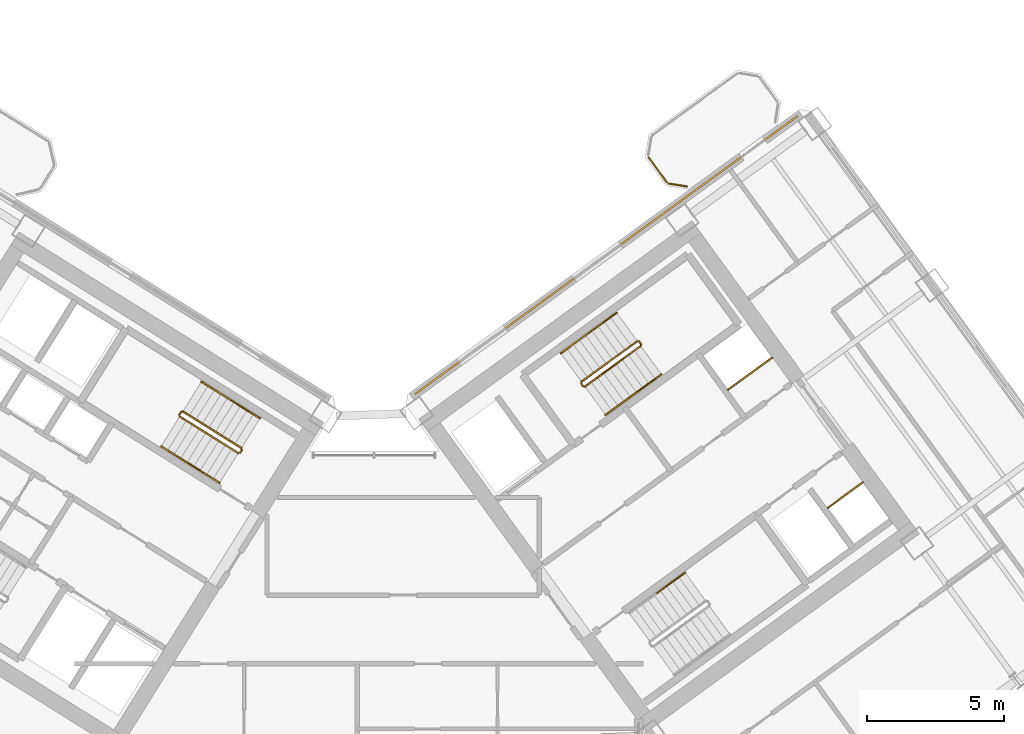
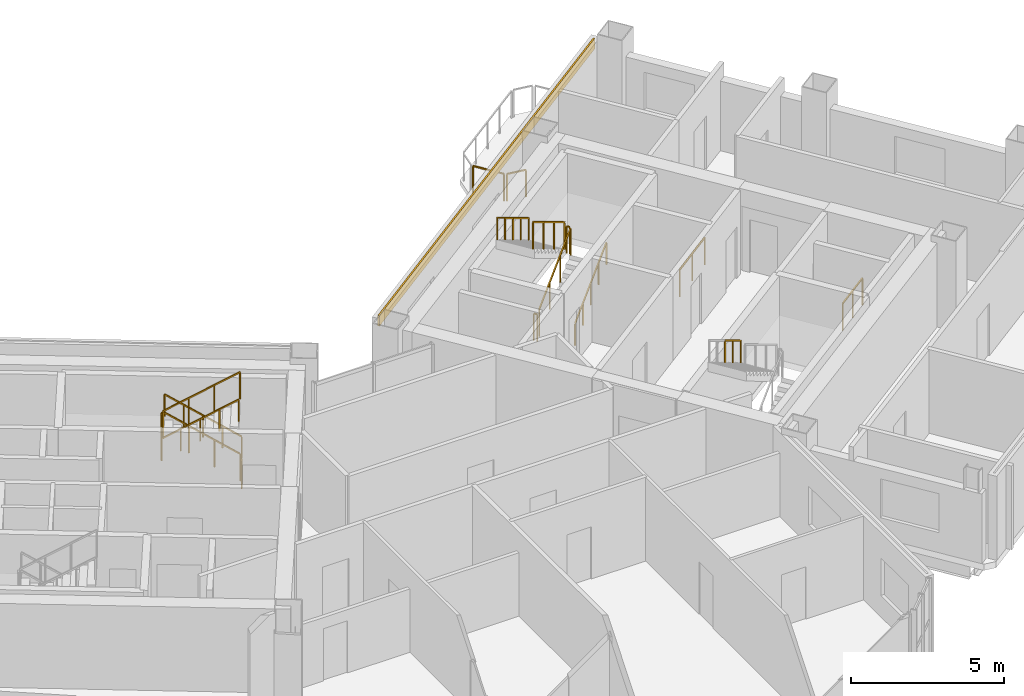
# One storey, part 28 of 29: 21 railings, 1 covering.
"""IFC4 building model written with IfcOpenShell, lengths in metres."""

from ifc_helpers import new_model, si_unit, direction, frame, origin, origin_2d, place, context, subcontext, project, spatial, rectangle, extrude, source, transform, mapped, material, layer, layer_set, type_object, element, save


model = new_model("IFC4")

# Units and contexts
model_context = context("Model", 3, precision=1e-05, world=origin(), true_north=direction((0.0, 1.0)))
body_context = subcontext(model_context, "Body", "Model", "MODEL_VIEW")
ifc_project = project(units=[si_unit("LENGTHUNIT", "METRE"), si_unit("AREAUNIT", "SQUARE_METRE"), si_unit("VOLUMEUNIT", "CUBIC_METRE"), si_unit("PLANEANGLEUNIT", "RADIAN"), si_unit("MASSUNIT", "GRAM", prefix="KILO")], contexts=[model_context])

# Site, building, storey
site_placement = place(None, origin())
site = spatial("IfcSite", under=ifc_project, at=site_placement, CompositionType="ELEMENT")
building_placement = place(site_placement, origin())
building = spatial("IfcBuilding", under=site, at=building_placement, Name="Tlacorven Tower", CompositionType="ELEMENT")
storey_placement = place(building_placement, frame((0.0, 0.0, 158.699951171875)))
storey = spatial("IfcBuildingStorey", under=building, at=storey_placement, Name="L40", CompositionType="ELEMENT", Elevation=158.699951171875)

# Railings
ifc_material_1 = material(Name="Aluminium and painted steel balustrade", Category="steel")
railing_type_1 = type_object("IfcRailingType", Name="RL-GRD-1100", PredefinedType="GUARDRAIL", material=ifc_material_1)
shared_shape_1 = source(origin(), body_context, "Body", "SweptSolid", [
    extrude(rectangle(XDim=0.048095703125, YDim=0.048095703125, at=origin_2d()), frame((0.0, 0.0, 1.076171875), z_axis=(0.808947177504, 0.587881334972, 0.0), x_axis=(-0.587881334972, 0.808947177504, 0.0)), (0.0, 0.0, 1.0), 2.0),
    extrude(rectangle(XDim=0.0419921875, YDim=0.0419921875, at=origin_2d()), origin(), (0.0, 0.0, 1.0), 1.052001953125),
    extrude(rectangle(XDim=0.0419921875, YDim=0.0419921875, at=origin_2d()), frame((0.80908203125, 0.587890625, 0.0)), (0.0, 0.0, 1.0), 1.052001953125),
    extrude(rectangle(XDim=0.0419921875, YDim=0.0419921875, at=origin_2d()), frame((1.617919921875, 1.17578125, 0.0)), (0.0, 0.0, 1.0), 1.052001953125),
])
railing_1_placement = place(storey_placement, frame((55.506103515625, 25.438232421875, 0.0)))
element("IfcRailing", 1, at=railing_1_placement, inside=storey, type_object=railing_type_1, Name="L40 Electrical Riser E Shaft Guard 1", PredefinedType="GUARDRAIL", context=body_context, shape_type="MappedRepresentation", body=[
    mapped(shared_shape_1, transform((0.0, 0.0, 0.0), scale=1.0)),
])
shared_shape_2 = source(origin(), body_context, "Body", "SweptSolid", [
    extrude(rectangle(XDim=0.048095703125, YDim=0.048095703125, at=origin_2d()), frame((0.0, 0.0, 1.076171875), z_axis=(0.809029975545, 0.58776738483, 0.0), x_axis=(-0.58776738483, 0.809029975545, 0.0)), (0.0, 0.0, 1.0), 1.580078125),
    extrude(rectangle(XDim=0.0419921875, YDim=0.0419921875, at=origin_2d()), origin(), (0.0, 0.0, 1.0), 1.052001953125),
    extrude(rectangle(XDim=0.0419921875, YDim=0.0419921875, at=origin_2d()), frame((0.63916015625, 0.46435546875, 0.0)), (0.0, 0.0, 1.0), 1.052001953125),
    extrude(rectangle(XDim=0.0419921875, YDim=0.0419921875, at=origin_2d()), frame((1.2783203125, 0.9287109375, 0.0)), (0.0, 0.0, 1.0), 1.052001953125),
])
railing_2_placement = place(storey_placement, frame((59.160888671875, 21.122314453125, 0.0)))
element("IfcRailing", 2, at=railing_2_placement, inside=storey, type_object=railing_type_1, Name="L40 Smoke Riser E Shaft Guard 1", PredefinedType="GUARDRAIL", context=body_context, shape_type="MappedRepresentation", body=[
    mapped(shared_shape_2, transform((0.0, 0.0, 0.0), scale=1.0)),
])
railing_type_2 = type_object("IfcRailingType", Name="RL-BAL-1100", PredefinedType="BALUSTRADE", material=ifc_material_1)
shared_shape_3 = source(origin(), body_context, "Body", "SweptSolid", [
    extrude(rectangle(XDim=0.048095703125, YDim=0.048095703125, at=origin_2d()), frame((0.0, 0.0, 1.076171875), z_axis=(-0.987718317463, 0.156245081039, 0.0), x_axis=(-0.156245081039, -0.987718317463, 0.0)), (0.0, 0.0, 1.0), 0.66552734375),
    extrude(rectangle(XDim=0.0419921875, YDim=0.0419921875, at=origin_2d()), origin(), (0.0, 0.0, 1.0), 1.052001953125),
    extrude(rectangle(XDim=0.0419921875, YDim=0.0419921875, at=origin_2d()), frame((-0.657470703125, 0.10400390625, 0.0)), (0.0, 0.0, 1.0), 1.052001953125),
])
railing_3_placement = place(storey_placement, frame((54.00341796875, 32.8759765625, 0.0)))
element("IfcRailing", 3, at=railing_3_placement, inside=storey, type_object=railing_type_2, Name="BAL-L40-E-IN Guard Railing 1", PredefinedType="BALUSTRADE", context=body_context, shape_type="MappedRepresentation", body=[
    mapped(shared_shape_3, transform((0.0, 0.0, 0.0), scale=1.0)),
])
shared_shape_4 = source(origin(), body_context, "Body", "SweptSolid", [
    extrude(rectangle(XDim=0.048095703125, YDim=0.048095703125, at=origin_2d()), frame((0.0, 0.0, 1.076171875), z_axis=(-0.587740817519, 0.809049276263, 0.0), x_axis=(-0.809049276263, -0.587740817519, 0.0)), (0.0, 0.0, 1.0), 1.112060546875),
    extrude(rectangle(XDim=0.0419921875, YDim=0.0419921875, at=origin_2d()), origin(), (0.0, 0.0, 1.0), 1.052001953125),
    extrude(rectangle(XDim=0.0419921875, YDim=0.0419921875, at=origin_2d()), frame((-0.653564453125, 0.899658203125, 0.0)), (0.0, 0.0, 1.0), 1.052001953125),
])
railing_4_placement = place(storey_placement, frame((53.26708984375, 33.0283203125, 0.0)))
element("IfcRailing", 4, at=railing_4_placement, inside=storey, type_object=railing_type_2, Name="BAL-L40-E-IN Guard Railing 2", PredefinedType="BALUSTRADE", context=body_context, shape_type="MappedRepresentation", body=[
    mapped(shared_shape_4, transform((0.0, 0.0, 0.0), scale=1.0)),
])

# Covering
ifc_material_2 = material(Name="Precast concrete C45/55", Category="concrete")
ifc_layer = layer(ifc_material_2, 0.06005859375)
ifc_layer_set = layer_set([ifc_layer], Name="Precast concrete C45/55")
covering_type = type_object("IfcCoveringType", Name="CV-CLD-TERC", PredefinedType="CLADDING", material=ifc_layer_set)
shared_shape_5 = source(origin(), body_context, "Body", "SweptSolid", [
    extrude(rectangle(XDim=17.287353515625, YDim=0.06005859375, at=origin_2d()), origin(), (0.0, 0.0, 1.0), 0.419921875),
])
covering_placement = place(storey_placement, frame((51.05224609375, 30.360595703125, 2.93017578125), z_axis=(0.0, 0.0, 1.0), x_axis=(0.809017097486, 0.587785110372, 0.0)))
element("IfcCovering", 5, at=covering_placement, inside=storey, type_object=covering_type, Name="L40 Masonry-Frame Spandrel Cladding 4", PredefinedType="CLADDING", context=body_context, shape_type="MappedRepresentation", body=[
    mapped(shared_shape_5, transform((0.0, 0.0, 0.0), scale=1.0)),
])

# Railings
shared_shape_6 = source(origin(), body_context, "Body", "SweptSolid", [
    extrude(rectangle(XDim=0.048095703125, YDim=0.048095703125, at=origin_2d()), frame((0.0, 0.0, 1.076171875), z_axis=(-0.713319727316, 0.445773895627, 0.540796265334), x_axis=(-0.529955395941, -0.84802551749, 0.0)), (0.0, 0.0, 1.0), 2.995849609375),
    extrude(rectangle(XDim=0.0419921875, YDim=0.0419921875, at=origin_2d()), origin(), (0.0, 0.0, 1.0), 1.052001953125),
    extrude(rectangle(XDim=0.0419921875, YDim=0.0419921875, at=origin_2d()), frame((-0.71240234375, 0.445068359375, 0.5400390625)), (0.0, 0.0, 1.0), 1.052001953125),
    extrude(rectangle(XDim=0.0419921875, YDim=0.0419921875, at=origin_2d()), frame((-1.424560546875, 0.890380859375, 1.080078125)), (0.0, 0.0, 1.0), 1.052001953125),
    extrude(rectangle(XDim=0.0419921875, YDim=0.0419921875, at=origin_2d()), frame((-2.136962890625, 1.33544921875, 1.6201171875)), (0.0, 0.0, 1.0), 1.052001953125),
])
railing_5_placement = place(storey_placement, frame((37.712158203125, 23.3095703125, 0.179931640625)))
element("IfcRailing", 6, at=railing_5_placement, inside=storey, type_object=railing_type_1, Name="L40 ST-W2 stair guard 1", PredefinedType="GUARDRAIL", context=body_context, shape_type="MappedRepresentation", body=[
    mapped(shared_shape_6, transform((0.0, 0.0, 0.0), scale=1.0)),
])
shared_shape_7 = source(origin(), body_context, "Body", "SweptSolid", [
    extrude(rectangle(XDim=0.048095703125, YDim=0.048095703125, at=origin_2d()), frame((0.0, 0.0, 1.076171875), z_axis=(-0.530546985787, -0.847655529016, 0.0), x_axis=(0.847655529016, -0.530546985787, 0.0)), (0.0, 0.0, 1.0), 0.1201171875),
    extrude(rectangle(XDim=0.0419921875, YDim=0.0419921875, at=origin_2d()), origin(), (0.0, 0.0, 1.0), 1.052001953125),
    extrude(rectangle(XDim=0.0419921875, YDim=0.0419921875, at=origin_2d()), frame((-0.063720703125, -0.101806640625, 0.0)), (0.0, 0.0, 1.0), 1.052001953125),
])
railing_6_placement = place(storey_placement, frame((37.728271484375, 23.24072265625, 0.0)))
element("IfcRailing", 7, at=railing_6_placement, inside=storey, type_object=railing_type_1, Name="L40 ST-W2 stair guard 4", PredefinedType="GUARDRAIL", context=body_context, shape_type="MappedRepresentation", body=[
    mapped(shared_shape_7, transform((0.0, 0.0, 0.0), scale=1.0)),
])
railing_type_3 = type_object("IfcRailingType", Name="RL-HND-0900", PredefinedType="HANDRAIL", material=ifc_material_1)
shared_shape_8 = source(origin(), body_context, "Body", "SweptSolid", [
    extrude(rectangle(XDim=0.048095703125, YDim=0.048095703125, at=origin_2d()), frame((0.0, 0.0, 0.8759765625), z_axis=(-0.713359751793, 0.4457479829, 0.540764828981), x_axis=(-0.529911857636, -0.848052724267, 0.0)), (0.0, 0.0, 1.0), 1.498046875),
    extrude(rectangle(XDim=0.0419921875, YDim=0.0419921875, at=origin_2d()), origin(), (0.0, 0.0, 1.0), 0.851806640625),
    extrude(rectangle(XDim=0.0419921875, YDim=0.0419921875, at=origin_2d()), frame((-0.5341796875, 0.333984375, 0.405029296875)), (0.0, 0.0, 1.0), 0.851806640625),
    extrude(rectangle(XDim=0.0419921875, YDim=0.0419921875, at=origin_2d()), frame((-1.068603515625, 0.667724609375, 0.81005859375)), (0.0, 0.0, 1.0), 0.851806640625),
])
for number, where, name in (
    (8, (38.390625, 24.39501953125, 0.179931640625), "L40 ST-W2 stair handrail 1"),
    (9, (37.322021484375, 25.062744140625, 0.989990234375), "L40 ST-W2 stair handrail 2"),
):
    element("IfcRailing", number, at=place(storey_placement, frame(where)), inside=storey, type_object=railing_type_3, Name=name, PredefinedType="HANDRAIL", context=body_context, shape_type="MappedRepresentation", body=[
        mapped(shared_shape_8, transform((0.0, 0.0, 0.0), scale=1.0)),
    ])
shared_shape_9 = source(origin(), body_context, "Body", "SweptSolid", [
    extrude(rectangle(XDim=0.048095703125, YDim=0.048095703125, at=origin_2d()), frame((0.0, 0.0, 0.8759765625), z_axis=(0.713359751793, -0.4457479829, 0.540764828981), x_axis=(0.529911857636, 0.848052724267, 0.0)), (0.0, 0.0, 1.0), 1.498046875),
    extrude(rectangle(XDim=0.0419921875, YDim=0.0419921875, at=origin_2d()), origin(), (0.0, 0.0, 1.0), 0.851806640625),
    extrude(rectangle(XDim=0.0419921875, YDim=0.0419921875, at=origin_2d()), frame((0.5341796875, -0.333984375, 0.405029296875)), (0.0, 0.0, 1.0), 0.851806640625),
    extrude(rectangle(XDim=0.0419921875, YDim=0.0419921875, at=origin_2d()), frame((1.068603515625, -0.667724609375, 0.81005859375)), (0.0, 0.0, 1.0), 0.851806640625),
])
for number, where, name in (
    (10, (34.7802734375, 23.372802734375, 1.97998046875), "L40 ST-W2 stair handrail 3"),
    (11, (35.848876953125, 22.705078125, 2.7900390625), "L40 ST-W2 stair handrail 4"),
):
    element("IfcRailing", number, at=place(storey_placement, frame(where)), inside=storey, type_object=railing_type_3, Name=name, PredefinedType="HANDRAIL", context=body_context, shape_type="MappedRepresentation", body=[
        mapped(shared_shape_9, transform((0.0, 0.0, 0.0), scale=1.0)),
    ])
shared_shape_10 = source(origin(), body_context, "Body", "SweptSolid", [
    extrude(rectangle(XDim=0.048095703125, YDim=0.048095703125, at=origin_2d()), frame((0.0, 0.0, 1.076171875), z_axis=(-0.531462422766, -0.847081869236, 0.0), x_axis=(0.847081869236, -0.531462422766, 0.0)), (0.0, 0.0, 1.0), 0.119873046875),
    extrude(rectangle(XDim=0.0419921875, YDim=0.0419921875, at=origin_2d()), origin(), (0.0, 0.0, 1.0), 1.052001953125),
    extrude(rectangle(XDim=0.0419921875, YDim=0.0419921875, at=origin_2d()), frame((-0.063720703125, -0.1015625, 0.0)), (0.0, 0.0, 1.0), 1.052001953125),
])
railing_7_placement = place(storey_placement, frame((35.50634765625, 24.62890625, 1.800048828125)))
element("IfcRailing", 12, at=railing_7_placement, inside=storey, type_object=railing_type_1, Name="L40 ST-W2 stair guard 2", PredefinedType="GUARDRAIL", context=body_context, shape_type="MappedRepresentation", body=[
    mapped(shared_shape_10, transform((0.0, 0.0, 0.0), scale=1.0)),
])
shared_shape_11 = source(origin(), body_context, "Body", "SweptSolid", [
    extrude(rectangle(XDim=0.048095703125, YDim=0.048095703125, at=origin_2d()), frame((0.0, 0.0, 1.076171875), z_axis=(0.713385662783, -0.445682681033, 0.540784470897), x_axis=(0.52984217967, 0.848096259066, 0.0)), (0.0, 0.0, 1.0), 2.995849609375),
    extrude(rectangle(XDim=0.0419921875, YDim=0.0419921875, at=origin_2d()), origin(), (0.0, 0.0, 1.0), 1.052001953125),
    extrude(rectangle(XDim=0.0419921875, YDim=0.0419921875, at=origin_2d()), frame((0.71240234375, -0.445068359375, 0.5400390625)), (0.0, 0.0, 1.0), 1.052001953125),
    extrude(rectangle(XDim=0.0419921875, YDim=0.0419921875, at=origin_2d()), frame((1.4248046875, -0.89013671875, 1.080078125)), (0.0, 0.0, 1.0), 1.052001953125),
    extrude(rectangle(XDim=0.0419921875, YDim=0.0419921875, at=origin_2d()), frame((2.13720703125, -1.335205078125, 1.6201171875)), (0.0, 0.0, 1.0), 1.052001953125),
])
railing_8_placement = place(storey_placement, frame((35.45849609375, 24.458251953125, 1.97998046875)))
element("IfcRailing", 13, at=railing_8_placement, inside=storey, type_object=railing_type_1, Name="L40 ST-W2 stair guard 3", PredefinedType="GUARDRAIL", context=body_context, shape_type="MappedRepresentation", body=[
    mapped(shared_shape_11, transform((0.0, 0.0, 0.0), scale=1.0)),
])
shared_shape_12 = source(origin(), body_context, "Body", "SweptSolid", [
    extrude(rectangle(XDim=0.048095703125, YDim=0.048095703125, at=origin_2d()), frame((0.0, 0.0, 1.076171875), z_axis=(-0.587201422542, 0.809440849824, 0.0), x_axis=(-0.809440849824, -0.587201422542, 0.0)), (0.0, 0.0, 1.0), 0.11962890625),
    extrude(rectangle(XDim=0.0419921875, YDim=0.0419921875, at=origin_2d()), origin(), (0.0, 0.0, 1.0), 1.052001953125),
    extrude(rectangle(XDim=0.0419921875, YDim=0.0419921875, at=origin_2d()), frame((-0.0703125, 0.096923828125, 0.0)), (0.0, 0.0, 1.0), 1.052001953125),
])
for number, where, name in (
    (14, (52.326904296875, 27.10888671875, 1.800048828125), "L40 ST-E1 stair guard 2"),
    (15, (50.207275390625, 25.56884765625, 0.0), "L40 ST-E1 stair guard 4"),
):
    element("IfcRailing", number, at=place(storey_placement, frame(where)), inside=storey, type_object=railing_type_1, Name=name, PredefinedType="GUARDRAIL", context=body_context, shape_type="MappedRepresentation", body=[
        mapped(shared_shape_12, transform((0.0, 0.0, 0.0), scale=1.0)),
    ])
shared_shape_13 = source(origin(), body_context, "Body", "SweptSolid", [
    extrude(rectangle(XDim=0.048095703125, YDim=0.048095703125, at=origin_2d()), frame((0.0, 0.0, 1.076171875), z_axis=(0.680488636597, 0.494434078831, 0.540805100894), x_axis=(-0.5878087079, 0.808999952359, 0.0)), (0.0, 0.0, 1.0), 2.995849609375),
    extrude(rectangle(XDim=0.0419921875, YDim=0.0419921875, at=origin_2d()), origin(), (0.0, 0.0, 1.0), 1.052001953125),
    extrude(rectangle(XDim=0.0419921875, YDim=0.0419921875, at=origin_2d()), frame((0.679443359375, 0.49365234375, 0.5400390625)), (0.0, 0.0, 1.0), 1.052001953125),
    extrude(rectangle(XDim=0.0419921875, YDim=0.0419921875, at=origin_2d()), frame((1.359130859375, 0.987548828125, 1.080078125)), (0.0, 0.0, 1.0), 1.052001953125),
    extrude(rectangle(XDim=0.0419921875, YDim=0.0419921875, at=origin_2d()), frame((2.03857421875, 1.481201171875, 1.6201171875)), (0.0, 0.0, 1.0), 1.052001953125),
])
railing_9_placement = place(storey_placement, frame((50.27734375, 25.557861328125, 0.179931640625)))
element("IfcRailing", 16, at=railing_9_placement, inside=storey, type_object=railing_type_1, Name="L40 ST-E1 stair guard 1", PredefinedType="GUARDRAIL", context=body_context, shape_type="MappedRepresentation", body=[
    mapped(shared_shape_13, transform((0.0, 0.0, 0.0), scale=1.0)),
])
shared_shape_14 = source(origin(), body_context, "Body", "SweptSolid", [
    extrude(rectangle(XDim=0.048095703125, YDim=0.048095703125, at=origin_2d()), frame((0.0, 0.0, 1.076171875), z_axis=(-0.680488636597, -0.494434078831, 0.540805100894), x_axis=(0.5878087079, -0.808999952359, 0.0)), (0.0, 0.0, 1.0), 2.995849609375),
    extrude(rectangle(XDim=0.0419921875, YDim=0.0419921875, at=origin_2d()), origin(), (0.0, 0.0, 1.0), 1.052001953125),
    extrude(rectangle(XDim=0.0419921875, YDim=0.0419921875, at=origin_2d()), frame((-0.679443359375, -0.49365234375, 0.5400390625)), (0.0, 0.0, 1.0), 1.052001953125),
    extrude(rectangle(XDim=0.0419921875, YDim=0.0419921875, at=origin_2d()), frame((-1.359130859375, -0.987548828125, 1.080078125)), (0.0, 0.0, 1.0), 1.052001953125),
    extrude(rectangle(XDim=0.0419921875, YDim=0.0419921875, at=origin_2d()), frame((-2.03857421875, -1.481201171875, 1.6201171875)), (0.0, 0.0, 1.0), 1.052001953125),
])
railing_10_placement = place(storey_placement, frame((52.1865234375, 27.217041015625, 1.97998046875)))
element("IfcRailing", 17, at=railing_10_placement, inside=storey, type_object=railing_type_1, Name="L40 ST-E1 stair guard 3", PredefinedType="GUARDRAIL", context=body_context, shape_type="MappedRepresentation", body=[
    mapped(shared_shape_14, transform((0.0, 0.0, 0.0), scale=1.0)),
])
shared_shape_15 = source(origin(), body_context, "Body", "SweptSolid", [
    extrude(rectangle(XDim=0.048095703125, YDim=0.048095703125, at=origin_2d()), frame((0.0, 0.0, 0.8759765625), z_axis=(0.680516055757, 0.494372502302, 0.540826891737), x_axis=(-0.587745292299, 0.809046025502, 0.0)), (0.0, 0.0, 1.0), 1.497802734375),
    extrude(rectangle(XDim=0.0419921875, YDim=0.0419921875, at=origin_2d()), origin(), (0.0, 0.0, 1.0), 0.851806640625),
    extrude(rectangle(XDim=0.0419921875, YDim=0.0419921875, at=origin_2d()), frame((0.509765625, 0.3701171875, 0.405029296875)), (0.0, 0.0, 1.0), 0.851806640625),
    extrude(rectangle(XDim=0.0419921875, YDim=0.0419921875, at=origin_2d()), frame((1.019287109375, 0.740478515625, 0.81005859375)), (0.0, 0.0, 1.0), 0.851806640625),
])
railing_11_placement = place(storey_placement, frame((51.029541015625, 24.522216796875, 0.179931640625)))
element("IfcRailing", 18, at=railing_11_placement, inside=storey, type_object=railing_type_3, Name="L40 ST-E1 stair handrail 1", PredefinedType="HANDRAIL", context=body_context, shape_type="MappedRepresentation", body=[
    mapped(shared_shape_15, transform((0.0, 0.0, 0.0), scale=1.0)),
])
shared_shape_16 = source(origin(), body_context, "Body", "SweptSolid", [
    extrude(rectangle(XDim=0.048095703125, YDim=0.048095703125, at=origin_2d()), frame((0.0, 0.0, 0.8759765625), z_axis=(0.680548719995, 0.49444080854, 0.540723336433), x_axis=(-0.587779977844, 0.80902082646, 0.0)), (0.0, 0.0, 1.0), 1.498046875),
    extrude(rectangle(XDim=0.0419921875, YDim=0.0419921875, at=origin_2d()), origin(), (0.0, 0.0, 1.0), 0.851806640625),
    extrude(rectangle(XDim=0.0419921875, YDim=0.0419921875, at=origin_2d()), frame((0.509765625, 0.370361328125, 0.405029296875)), (0.0, 0.0, 1.0), 0.851806640625),
    extrude(rectangle(XDim=0.0419921875, YDim=0.0419921875, at=origin_2d()), frame((1.01953125, 0.74072265625, 0.81005859375)), (0.0, 0.0, 1.0), 0.851806640625),
])
railing_12_placement = place(storey_placement, frame((52.048828125, 25.2626953125, 0.989990234375)))
element("IfcRailing", 19, at=railing_12_placement, inside=storey, type_object=railing_type_3, Name="L40 ST-E1 stair handrail 2", PredefinedType="HANDRAIL", context=body_context, shape_type="MappedRepresentation", body=[
    mapped(shared_shape_16, transform((0.0, 0.0, 0.0), scale=1.0)),
])
shared_shape_17 = source(origin(), body_context, "Body", "SweptSolid", [
    extrude(rectangle(XDim=0.048095703125, YDim=0.048095703125, at=origin_2d()), frame((0.0, 0.0, 0.8759765625), z_axis=(-0.680603554404, -0.494317667746, 0.540766904577), x_axis=(0.587653156371, -0.809112951205, 0.0)), (0.0, 0.0, 1.0), 1.498046875),
    extrude(rectangle(XDim=0.0419921875, YDim=0.0419921875, at=origin_2d()), origin(), (0.0, 0.0, 1.0), 0.851806640625),
    extrude(rectangle(XDim=0.0419921875, YDim=0.0419921875, at=origin_2d()), frame((-0.509765625, -0.3701171875, 0.405029296875)), (0.0, 0.0, 1.0), 0.851806640625),
    extrude(rectangle(XDim=0.0419921875, YDim=0.0419921875, at=origin_2d()), frame((-1.01953125, -0.740478515625, 0.81005859375)), (0.0, 0.0, 1.0), 0.851806640625),
])
railing_13_placement = place(storey_placement, frame((51.434326171875, 28.25244140625, 1.97998046875)))
element("IfcRailing", 20, at=railing_13_placement, inside=storey, type_object=railing_type_3, Name="L40 ST-E1 stair handrail 3", PredefinedType="HANDRAIL", context=body_context, shape_type="MappedRepresentation", body=[
    mapped(shared_shape_17, transform((0.0, 0.0, 0.0), scale=1.0)),
])
shared_shape_18 = source(origin(), body_context, "Body", "SweptSolid", [
    extrude(rectangle(XDim=0.048095703125, YDim=0.048095703125, at=origin_2d()), frame((0.0, 0.0, 0.8759765625), z_axis=(-0.680461216233, -0.494495647917, 0.540783309093), x_axis=(0.587872112667, -0.808953879494, 0.0)), (0.0, 0.0, 1.0), 1.498046875),
    extrude(rectangle(XDim=0.0419921875, YDim=0.0419921875, at=origin_2d()), origin(), (0.0, 0.0, 1.0), 0.851806640625),
    extrude(rectangle(XDim=0.0419921875, YDim=0.0419921875, at=origin_2d()), frame((-0.509765625, -0.370361328125, 0.405029296875)), (0.0, 0.0, 1.0), 0.851806640625),
    extrude(rectangle(XDim=0.0419921875, YDim=0.0419921875, at=origin_2d()), frame((-1.019287109375, -0.74072265625, 0.81005859375)), (0.0, 0.0, 1.0), 0.851806640625),
])
railing_14_placement = place(storey_placement, frame((50.414794921875, 27.511962890625, 2.7900390625)))
element("IfcRailing", 21, at=railing_14_placement, inside=storey, type_object=railing_type_3, Name="L40 ST-E1 stair handrail 4", PredefinedType="HANDRAIL", context=body_context, shape_type="MappedRepresentation", body=[
    mapped(shared_shape_18, transform((0.0, 0.0, 0.0), scale=1.0)),
])
shared_shape_19 = source(origin(), body_context, "Body", "SweptSolid", [
    extrude(rectangle(XDim=0.048095703125, YDim=0.048095703125, at=origin_2d()), frame((0.0, 0.0, 0.8759765625), z_axis=(-0.680516055757, -0.494372502302, 0.540826891737), x_axis=(0.587745292299, -0.809046025502, 0.0)), (0.0, 0.0, 1.0), 1.497802734375),
    extrude(rectangle(XDim=0.0419921875, YDim=0.0419921875, at=origin_2d()), origin(), (0.0, 0.0, 1.0), 0.851806640625),
    extrude(rectangle(XDim=0.0419921875, YDim=0.0419921875, at=origin_2d()), frame((-0.509765625, -0.3701171875, 0.405029296875)), (0.0, 0.0, 1.0), 0.851806640625),
    extrude(rectangle(XDim=0.0419921875, YDim=0.0419921875, at=origin_2d()), frame((-1.019287109375, -0.740478515625, 0.81005859375)), (0.0, 0.0, 1.0), 0.851806640625),
])
railing_15_placement = place(storey_placement, frame((53.938232421875, 18.749267578125, 1.97998046875)))
element("IfcRailing", 22, at=railing_15_placement, inside=storey, type_object=railing_type_3, Name="L40 ST-E2 stair handrail 3", PredefinedType="HANDRAIL", context=body_context, shape_type="MappedRepresentation", body=[
    mapped(shared_shape_19, transform((0.0, 0.0, 0.0), scale=1.0)),
])

save(model, "model.ifc")
